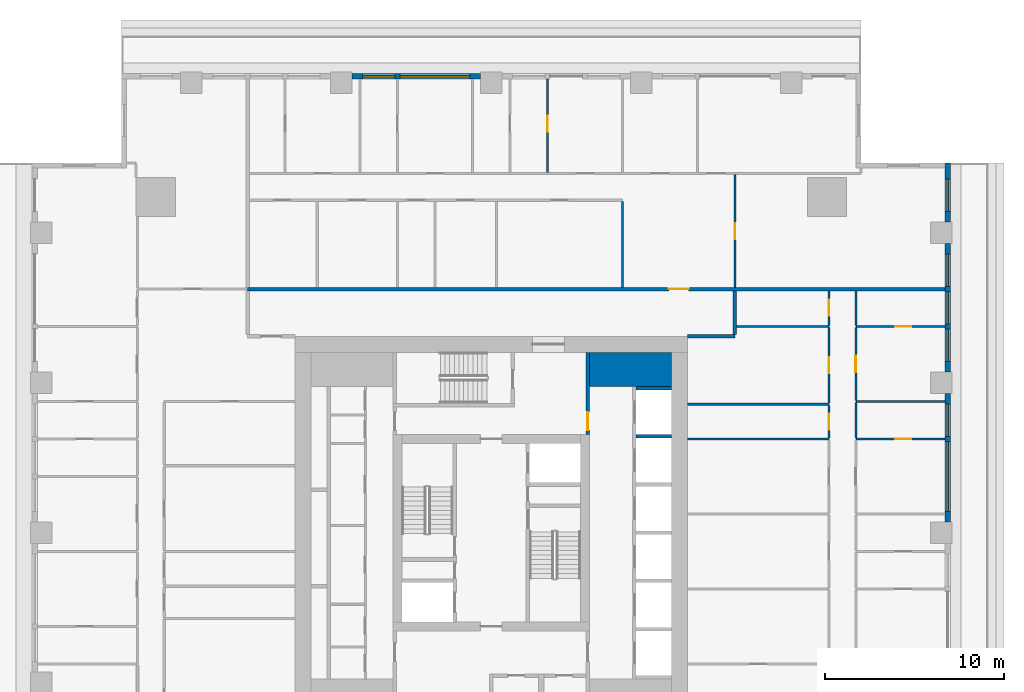
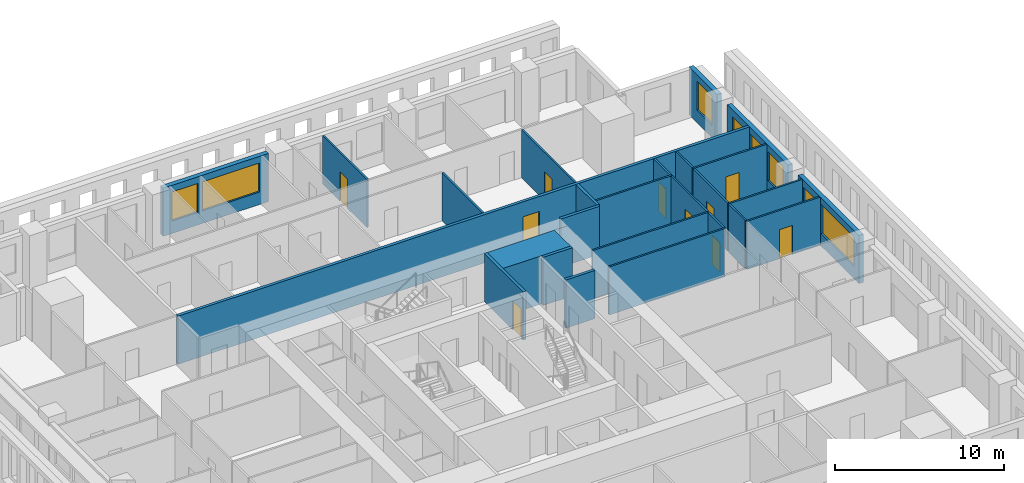
# One storey, part 8 of 14: 26 walls, 10 doors, 8 windows, 18 openings.
"""IFC4 building model written with IfcOpenShell, lengths in metres."""

from ifc_helpers import new_model, si_unit, direction, frame, frame_2d, origin, place, context, subcontext, project, spatial, rectangle, extrude, material, layer, layer_set, type_object, element, fill, save


model = new_model("IFC4")

# Units and contexts
model_context = context("Model", 3, precision=1e-05, world=origin(), true_north=direction((0.0, 1.0)))
body_context = subcontext(model_context, "Body", "Model", "MODEL_VIEW")
ifc_project = project(units=[si_unit("LENGTHUNIT", "METRE"), si_unit("AREAUNIT", "SQUARE_METRE"), si_unit("VOLUMEUNIT", "CUBIC_METRE"), si_unit("PLANEANGLEUNIT", "RADIAN"), si_unit("MASSUNIT", "GRAM", prefix="KILO")], contexts=[model_context])

# Site, building, storey
site_placement = place(None, origin())
site = spatial("IfcSite", under=ifc_project, at=site_placement, CompositionType="ELEMENT")
building_placement = place(site_placement, origin())
building = spatial("IfcBuilding", under=site, at=building_placement, Name="Khepri Terraces", CompositionType="ELEMENT")
storey_placement = place(building_placement, frame((0.0, 0.0, 279.60009765625)))
storey = spatial("IfcBuildingStorey", under=building, at=storey_placement, Name="L67", CompositionType="ELEMENT", Elevation=279.60009765625)

# Walls
ifc_material_1 = material(Name="Concrete C40/50", Category="concrete")
ifc_layer_1 = layer(ifc_material_1, 1.89990234375, Name="Concrete C40/50", Category="concrete")
ifc_layer_set_1 = layer_set([ifc_layer_1], Name="Concrete C40/50")
wall_type_1 = type_object("IfcWallType", Name="Core wall 1900 C40/50", PredefinedType="SHEAR", material=ifc_layer_set_1)
wall_1_placement = place(storey_placement, frame((5.5, 9.14990234375, 0.0), z_axis=(0.0, 0.0, 1.0), x_axis=(1.0, 0.0, 0.0)))
element("IfcWall", 1, at=wall_1_placement, inside=storey, type_object=wall_type_1, Name="Core wall PR04 L67", PredefinedType="SHEAR", context=body_context, shape_type="SweptSolid", body=[
    extrude(rectangle(XDim=4.60009765625, YDim=1.89990234375, at=frame_2d((2.300048828125, 0.0))), origin(), (0.0, 0.0, 1.0), 3.47998046875),
])
ifc_layer_2 = layer(ifc_material_1, 0.199951171875, Name="Concrete C40/50", Category="concrete")
ifc_layer_set_2 = layer_set([ifc_layer_2], Name="Concrete C40/50")
wall_type_2 = type_object("IfcWallType", Name="Core wall 200 C40/50", PredefinedType="SHEAR", material=ifc_layer_set_2)
for number, where, z_axis, x_axis, name in (
    (2, (8.10009765625, 5.39990234375, 0.0), (0.0, 0.0, 1.0), (1.0, 0.0, 0.0), "Core wall SH14 L67"),
    (3, (8.10009765625, 8.10009765625, 0.0), (0.0, 0.0, 1.0), (1.0, 0.0, 0.0), "Core wall SH15 L67"),
):
    element("IfcWall", number, at=place(storey_placement, frame(where, z_axis=z_axis, x_axis=x_axis)), inside=storey, type_object=wall_type_2, Name=name, PredefinedType="SHEAR", context=body_context, shape_type="SweptSolid", body=[
        extrude(rectangle(XDim=2.0, YDim=0.199951171875, at=frame_2d((1.0, 0.0))), origin(), (0.0, 0.0, 1.0), 3.47998046875),
    ])

# Wall, opening, door
ifc_material_2 = material(Name="Fire-rated gypsum board partition")
ifc_layer_3 = layer(ifc_material_2, 0.199951171875, Name="Fire-rated gypsum board partition")
ifc_layer_set_3 = layer_set([ifc_layer_3], Name="Fire-rated gypsum board partition")
wall_type_3 = type_object("IfcWallType", Name="WL-CORE-PART-200", PredefinedType="PARTITIONING", material=ifc_layer_set_3)
wall_2_placement = place(storey_placement, frame((5.39990234375, 5.5, 0.0), z_axis=(0.0, 0.0, 1.0), x_axis=(0.0, 1.0, 0.0)))
wall_2 = element("IfcWall", 4, at=wall_2_placement, inside=storey, type_object=wall_type_3, Name="Core partition PT13 L67", PredefinedType="PARTITIONING", context=body_context, shape_type="SweptSolid", body=[
    extrude(rectangle(XDim=4.60009765625, YDim=0.199951171875, at=frame_2d((2.300048828125, 0.0))), origin(), (0.0, 0.0, 1.0), 3.47998046875),
])
opening_1_placement = place(wall_2_placement, frame((0.25, 0.0, 0.0)))
opening_1 = element("IfcOpeningElement", 5, at=opening_1_placement, cuts=wall_2, Name="Opening L67-C17", PredefinedType="OPENING", context=body_context, shape_type="SweptSolid", body=[
    extrude(rectangle(XDim=1.0, YDim=2.10009765625, at=frame_2d((0.5, 1.050048828125))), frame((0.0, 0.10986328125, 0.0), z_axis=(0.0, -1.0, 0.0), x_axis=(1.0, 0.0, 0.0)), (0.0, 0.0, 1.0), 0.219970703125),
])
ifc_material_3 = material(Name="Painted steel", Category="steel")
door_type_1 = type_object("IfcDoorType", Name="DR-CORE-LOBBY-1000", OperationType="NOTDEFINED", PredefinedType="DOOR", material=ifc_material_3)
door_1_placement = place(opening_1_placement, origin())
door_1 = element("IfcDoor", 6, at=door_1_placement, inside=storey, type_object=door_type_1, Name="Lobby door L67-C17", OperationType="SINGLE_SWING_LEFT", OverallHeight=2.10009765625, OverallWidth=1.0, PredefinedType="DOOR", context=body_context, shape_type="SweptSolid", body=[
    extrude(rectangle(XDim=1.0, YDim=2.10009765625, at=frame_2d((0.5, 1.050048828125))), frame((0.0, 0.02490234375, 0.0), z_axis=(0.0, -1.0, 0.0), x_axis=(1.0, 0.0, 0.0)), (0.0, 0.0, 1.0), 0.050048828125),
])
fill(opening_1, door_1)

# Walls
ifc_material_4 = material(Name="Fire-rated gypsum plasterboard partition, mineral wool")
ifc_layer_4 = layer(ifc_material_4, 0.199951171875, Name="Fire-rated gypsum plasterboard partition, mineral wool")
ifc_layer_set_4 = layer_set([ifc_layer_4], Name="Fire-rated gypsum plasterboard partition, mineral wool")
wall_type_4 = type_object("IfcWallType", Name="WL-CORR-200", PredefinedType="PARTITIONING", material=ifc_layer_set_4)
wall_3_placement = place(storey_placement, frame((11.0, 11.0, 0.0), z_axis=(0.0, 0.0, 1.0), x_axis=(1.0, 0.0, 0.0)))
element("IfcWall", 7, at=wall_3_placement, inside=storey, type_object=wall_type_4, Name="Partition P-069 L67", PredefinedType="PARTITIONING", context=body_context, shape_type="SweptSolid", body=[
    extrude(rectangle(XDim=2.64990234375, YDim=0.199951171875, at=frame_2d((1.324951171875, 0.0))), origin(), (0.0, 0.0, 1.0), 3.47998046875),
])
wall_4_placement = place(storey_placement, frame((13.64990234375, 11.10009765625, 0.0), z_axis=(0.0, 0.0, 1.0), x_axis=(0.0, 1.0, 0.0)))
element("IfcWall", 8, at=wall_4_placement, inside=storey, type_object=wall_type_4, Name="Partition P-071 L67", PredefinedType="PARTITIONING", context=body_context, shape_type="SweptSolid", body=[
    extrude(rectangle(XDim=2.449951171875, YDim=0.199951171875, at=frame_2d((1.22509765625, 0.0))), origin(), (0.0, 0.0, 1.0), 3.47998046875),
])

# Wall, opening, door
wall_5_placement = place(storey_placement, frame((-13.64990234375, 13.64990234375, 0.0), z_axis=(0.0, 0.0, 1.0), x_axis=(1.0, 0.0, 0.0)))
wall_5 = element("IfcWall", 9, at=wall_5_placement, inside=storey, type_object=wall_type_4, Name="Partition P-079 L67", PredefinedType="PARTITIONING", context=body_context, shape_type="SweptSolid", body=[
    extrude(rectangle(XDim=39.06982421875, YDim=0.199951171875, at=frame_2d((19.534912109375, 0.0))), origin(), (0.0, 0.0, 1.0), 3.47998046875),
])
opening_2_placement = place(wall_5_placement, frame((23.60009765625, 0.0, 0.0)))
opening_2 = element("IfcOpeningElement", 10, at=opening_2_placement, cuts=wall_5, Name="Opening D1", PredefinedType="OPENING", context=body_context, shape_type="SweptSolid", body=[
    extrude(rectangle(XDim=1.10009765625, YDim=2.39990234375, at=frame_2d((0.550048828125, 1.199951171875))), frame((0.0, 0.10986328125, 0.0), z_axis=(0.0, -1.0, 0.0), x_axis=(1.0, 0.0, 0.0)), (0.0, 0.0, 1.0), 0.219970703125),
])
ifc_material_5 = material(Name="Solid-core timber door leaf, flat entrance door", Category="wood")
door_type_2 = type_object("IfcDoorType", Name="DR-ENT-1100", OperationType="NOTDEFINED", PredefinedType="DOOR", material=ifc_material_5)
door_2_placement = place(opening_2_placement, origin())
door_2 = element("IfcDoor", 11, at=door_2_placement, inside=storey, type_object=door_type_2, Name="Flat C1 entrance door", OperationType="SINGLE_SWING_RIGHT", OverallHeight=2.39990234375, OverallWidth=1.10009765625, PredefinedType="DOOR", context=body_context, shape_type="SweptSolid", body=[
    extrude(rectangle(XDim=1.10009765625, YDim=2.39990234375, at=frame_2d((0.550048828125, 1.199951171875))), frame((0.0, 0.02490234375, 0.0), z_axis=(0.0, -1.0, 0.0), x_axis=(1.0, 0.0, 0.0)), (0.0, 0.0, 1.0), 0.050048828125),
])
fill(opening_2, door_2)

# Wall, openings, windows
ifc_material_6 = material(Name="Precast concrete C50/60 warm stone", Category="masonry")
ifc_layer_5 = layer(ifc_material_6, 0.300048828125, Name="Precast concrete C50/60 warm stone", Category="masonry")
ifc_layer_set_5 = layer_set([ifc_layer_5], Name="Precast concrete C50/60 warm stone")
wall_type_5 = type_object("IfcWallType", Name="WL-EXT-PRECAST-300", PredefinedType="STANDARD", material=ifc_layer_set_5)
wall_6_placement = place(storey_placement, frame((25.570068359375, 0.60009765625, 0.0), z_axis=(0.0, 0.0, 1.0), x_axis=(0.0, 1.0, 0.0)))
wall_6 = element("IfcWall", 12, at=wall_6_placement, inside=storey, type_object=wall_type_5, Name="External wall L67 E", PredefinedType="STANDARD", context=body_context, shape_type="SweptSolid", body=[
    extrude(rectangle(XDim=7.199951171875, YDim=0.300048828125, at=frame_2d((3.60009765625, 0.0))), origin(), (0.0, 0.0, 1.0), 3.47998046875),
])
opening_3_placement = place(wall_6_placement, frame((0.60009765625, 0.0, 0.89990234375)))
opening_3 = element("IfcOpeningElement", 13, at=opening_3_placement, cuts=wall_6, Name="Opening W2", PredefinedType="OPENING", context=body_context, shape_type="SweptSolid", body=[
    extrude(rectangle(XDim=3.89990234375, YDim=2.10009765625, at=frame_2d((1.949951171875, 1.050048828125))), frame((0.0, 0.16015625, 0.0), z_axis=(0.0, -1.0, 0.0), x_axis=(1.0, 0.0, 0.0)), (0.0, 0.0, 1.0), 0.320068359375),
])
opening_4_placement = place(wall_6_placement, frame((4.800048828125, 0.0, 0.89990234375)))
opening_4 = element("IfcOpeningElement", 14, at=opening_4_placement, cuts=wall_6, Name="Opening W1", PredefinedType="OPENING", context=body_context, shape_type="SweptSolid", body=[
    extrude(rectangle(XDim=1.800048828125, YDim=2.10009765625, at=frame_2d((0.89990234375, 1.050048828125))), frame((0.0, 0.16015625, 0.0), z_axis=(0.0, -1.0, 0.0), x_axis=(1.0, 0.0, 0.0)), (0.0, 0.0, 1.0), 0.320068359375),
])
ifc_material_7 = material(Name="Clear glass", Category="glass")
window_type_1 = type_object("IfcWindowType", Name="WIN-RES-1800x2100", PartitioningType="SINGLE_PANEL", PredefinedType="WINDOW", material=ifc_material_7)
window_1_placement = place(opening_4_placement, origin())
window_1 = element("IfcWindow", 15, at=window_1_placement, inside=storey, type_object=window_type_1, Name="Window L67 E", OverallHeight=2.10009765625, OverallWidth=1.800048828125, PartitioningType="SINGLE_PANEL", PredefinedType="WINDOW", context=body_context, shape_type="SweptSolid", body=[
    extrude(rectangle(XDim=1.800048828125, YDim=2.10009765625, at=frame_2d((0.89990234375, 1.050048828125))), frame((0.0, 0.030029296875, 0.0), z_axis=(0.0, -1.0, 0.0), x_axis=(1.0, 0.0, 0.0)), (0.0, 0.0, 1.0), 0.06005859375),
])
fill(opening_4, window_1)
window_type_2 = type_object("IfcWindowType", Name="WIN-RES-3900x2100", PartitioningType="SINGLE_PANEL", PredefinedType="WINDOW", material=ifc_material_7)
window_2_placement = place(opening_3_placement, origin())
window_2 = element("IfcWindow", 16, at=window_2_placement, inside=storey, type_object=window_type_2, Name="Window L67 E", OverallHeight=2.10009765625, OverallWidth=3.89990234375, PartitioningType="SINGLE_PANEL", PredefinedType="WINDOW", context=body_context, shape_type="SweptSolid", body=[
    extrude(rectangle(XDim=3.89990234375, YDim=2.10009765625, at=frame_2d((1.949951171875, 1.050048828125))), frame((0.0, 0.030029296875, 0.0), z_axis=(0.0, -1.0, 0.0), x_axis=(1.0, 0.0, 0.0)), (0.0, 0.0, 1.0), 0.06005859375),
])
fill(opening_3, window_2)

wall_7_placement = place(storey_placement, frame((25.570068359375, 9.0, 0.0), z_axis=(0.0, 0.0, 1.0), x_axis=(0.0, 1.0, 0.0)))
wall_7 = element("IfcWall", 17, at=wall_7_placement, inside=storey, type_object=wall_type_5, Name="External wall L67 E", PredefinedType="STANDARD", context=body_context, shape_type="SweptSolid", body=[
    extrude(rectangle(XDim=7.199951171875, YDim=0.300048828125, at=frame_2d((3.60009765625, 0.0))), origin(), (0.0, 0.0, 1.0), 3.47998046875),
])
opening_5_placement = place(wall_7_placement, frame((0.60009765625, 0.0, 0.89990234375)))
opening_5 = element("IfcOpeningElement", 18, at=opening_5_placement, cuts=wall_7, Name="Opening W1", PredefinedType="OPENING", context=body_context, shape_type="SweptSolid", body=[
    extrude(rectangle(XDim=1.800048828125, YDim=2.10009765625, at=frame_2d((0.89990234375, 1.050048828125))), frame((0.0, 0.16015625, 0.0), z_axis=(0.0, -1.0, 0.0), x_axis=(1.0, 0.0, 0.0)), (0.0, 0.0, 1.0), 0.320068359375),
])
opening_6_placement = place(wall_7_placement, frame((2.699951171875, 0.0, 0.89990234375)))
opening_6 = element("IfcOpeningElement", 19, at=opening_6_placement, cuts=wall_7, Name="Opening W1", PredefinedType="OPENING", context=body_context, shape_type="SweptSolid", body=[
    extrude(rectangle(XDim=1.800048828125, YDim=2.10009765625, at=frame_2d((0.89990234375, 1.050048828125))), frame((0.0, 0.16015625, 0.0), z_axis=(0.0, -1.0, 0.0), x_axis=(1.0, 0.0, 0.0)), (0.0, 0.0, 1.0), 0.320068359375),
])
opening_7_placement = place(wall_7_placement, frame((4.800048828125, 0.0, 0.89990234375)))
opening_7 = element("IfcOpeningElement", 20, at=opening_7_placement, cuts=wall_7, Name="Opening W1", PredefinedType="OPENING", context=body_context, shape_type="SweptSolid", body=[
    extrude(rectangle(XDim=1.800048828125, YDim=2.10009765625, at=frame_2d((0.89990234375, 1.050048828125))), frame((0.0, 0.16015625, 0.0), z_axis=(0.0, -1.0, 0.0), x_axis=(1.0, 0.0, 0.0)), (0.0, 0.0, 1.0), 0.320068359375),
])
window_3_placement = place(opening_5_placement, origin())
window_3 = element("IfcWindow", 21, at=window_3_placement, inside=storey, type_object=window_type_1, Name="Window L67 E", OverallHeight=2.10009765625, OverallWidth=1.800048828125, PartitioningType="SINGLE_PANEL", PredefinedType="WINDOW", context=body_context, shape_type="SweptSolid", body=[
    extrude(rectangle(XDim=1.800048828125, YDim=2.10009765625, at=frame_2d((0.89990234375, 1.050048828125))), frame((0.0, 0.030029296875, 0.0), z_axis=(0.0, -1.0, 0.0), x_axis=(1.0, 0.0, 0.0)), (0.0, 0.0, 1.0), 0.06005859375),
])
fill(opening_5, window_3)
window_4_placement = place(opening_6_placement, origin())
window_4 = element("IfcWindow", 22, at=window_4_placement, inside=storey, type_object=window_type_1, Name="Window L67 E", OverallHeight=2.10009765625, OverallWidth=1.800048828125, PartitioningType="SINGLE_PANEL", PredefinedType="WINDOW", context=body_context, shape_type="SweptSolid", body=[
    extrude(rectangle(XDim=1.800048828125, YDim=2.10009765625, at=frame_2d((0.89990234375, 1.050048828125))), frame((0.0, 0.030029296875, 0.0), z_axis=(0.0, -1.0, 0.0), x_axis=(1.0, 0.0, 0.0)), (0.0, 0.0, 1.0), 0.06005859375),
])
fill(opening_6, window_4)
window_5_placement = place(opening_7_placement, origin())
window_5 = element("IfcWindow", 23, at=window_5_placement, inside=storey, type_object=window_type_1, Name="Window L67 E", OverallHeight=2.10009765625, OverallWidth=1.800048828125, PartitioningType="SINGLE_PANEL", PredefinedType="WINDOW", context=body_context, shape_type="SweptSolid", body=[
    extrude(rectangle(XDim=1.800048828125, YDim=2.10009765625, at=frame_2d((0.89990234375, 1.050048828125))), frame((0.0, 0.030029296875, 0.0), z_axis=(0.0, -1.0, 0.0), x_axis=(1.0, 0.0, 0.0)), (0.0, 0.0, 1.0), 0.06005859375),
])
fill(opening_7, window_5)

# Wall, opening, window
wall_8_placement = place(storey_placement, frame((25.570068359375, 17.39990234375, 0.0), z_axis=(0.0, 0.0, 1.0), x_axis=(0.0, 1.0, 0.0)))
wall_8 = element("IfcWall", 24, at=wall_8_placement, inside=storey, type_object=wall_type_5, Name="External wall L67 E", PredefinedType="STANDARD", context=body_context, shape_type="SweptSolid", body=[
    extrude(rectangle(XDim=3.320068359375, YDim=0.300048828125, at=frame_2d((1.66015625, 0.0))), origin(), (0.0, 0.0, 1.0), 3.47998046875),
])
opening_8_placement = place(wall_8_placement, frame((0.60009765625, 0.0, 0.89990234375)))
opening_8 = element("IfcOpeningElement", 25, at=opening_8_placement, cuts=wall_8, Name="Opening W1", PredefinedType="OPENING", context=body_context, shape_type="SweptSolid", body=[
    extrude(rectangle(XDim=1.800048828125, YDim=2.10009765625, at=frame_2d((0.89990234375, 1.050048828125))), frame((0.0, 0.16015625, 0.0), z_axis=(0.0, -1.0, 0.0), x_axis=(1.0, 0.0, 0.0)), (0.0, 0.0, 1.0), 0.320068359375),
])
window_6_placement = place(opening_8_placement, origin())
window_6 = element("IfcWindow", 26, at=window_6_placement, inside=storey, type_object=window_type_1, Name="Window L67 E", OverallHeight=2.10009765625, OverallWidth=1.800048828125, PartitioningType="SINGLE_PANEL", PredefinedType="WINDOW", context=body_context, shape_type="SweptSolid", body=[
    extrude(rectangle(XDim=1.800048828125, YDim=2.10009765625, at=frame_2d((0.89990234375, 1.050048828125))), frame((0.0, 0.030029296875, 0.0), z_axis=(0.0, -1.0, 0.0), x_axis=(1.0, 0.0, 0.0)), (0.0, 0.0, 1.0), 0.06005859375),
])
fill(opening_8, window_6)

# Wall, openings, windows
wall_9_placement = place(storey_placement, frame((-0.60009765625, 25.570068359375, 0.0), z_axis=(0.0, 0.0, 1.0), x_axis=(-1.0, 0.0, 0.0)))
wall_9 = element("IfcWall", 27, at=wall_9_placement, inside=storey, type_object=wall_type_5, Name="External wall L67 N", PredefinedType="STANDARD", context=body_context, shape_type="SweptSolid", body=[
    extrude(rectangle(XDim=7.199951171875, YDim=0.300048828125, at=frame_2d((3.60009765625, 0.0))), origin(), (0.0, 0.0, 1.0), 3.47998046875),
])
opening_9_placement = place(wall_9_placement, frame((0.60009765625, 0.0, 0.89990234375)))
opening_9 = element("IfcOpeningElement", 28, at=opening_9_placement, cuts=wall_9, Name="Opening W2", PredefinedType="OPENING", context=body_context, shape_type="SweptSolid", body=[
    extrude(rectangle(XDim=3.89990234375, YDim=2.10009765625, at=frame_2d((1.949951171875, 1.050048828125))), frame((0.0, 0.16015625, 0.0), z_axis=(0.0, -1.0, 0.0), x_axis=(1.0, 0.0, 0.0)), (0.0, 0.0, 1.0), 0.320068359375),
])
opening_10_placement = place(wall_9_placement, frame((4.800048828125, 0.0, 0.89990234375)))
opening_10 = element("IfcOpeningElement", 29, at=opening_10_placement, cuts=wall_9, Name="Opening W1", PredefinedType="OPENING", context=body_context, shape_type="SweptSolid", body=[
    extrude(rectangle(XDim=1.800048828125, YDim=2.10009765625, at=frame_2d((0.89990234375, 1.050048828125))), frame((0.0, 0.16015625, 0.0), z_axis=(0.0, -1.0, 0.0), x_axis=(1.0, 0.0, 0.0)), (0.0, 0.0, 1.0), 0.320068359375),
])
window_7_placement = place(opening_10_placement, origin())
window_7 = element("IfcWindow", 30, at=window_7_placement, inside=storey, type_object=window_type_1, Name="Window L67 N", OverallHeight=2.10009765625, OverallWidth=1.800048828125, PartitioningType="SINGLE_PANEL", PredefinedType="WINDOW", context=body_context, shape_type="SweptSolid", body=[
    extrude(rectangle(XDim=1.800048828125, YDim=2.10009765625, at=frame_2d((0.89990234375, 1.050048828125))), frame((0.0, 0.030029296875, 0.0), z_axis=(0.0, -1.0, 0.0), x_axis=(1.0, 0.0, 0.0)), (0.0, 0.0, 1.0), 0.06005859375),
])
fill(opening_10, window_7)
window_8_placement = place(opening_9_placement, origin())
window_8 = element("IfcWindow", 31, at=window_8_placement, inside=storey, type_object=window_type_2, Name="Window L67 N", OverallHeight=2.10009765625, OverallWidth=3.89990234375, PartitioningType="SINGLE_PANEL", PredefinedType="WINDOW", context=body_context, shape_type="SweptSolid", body=[
    extrude(rectangle(XDim=3.89990234375, YDim=2.10009765625, at=frame_2d((1.949951171875, 1.050048828125))), frame((0.0, 0.030029296875, 0.0), z_axis=(0.0, -1.0, 0.0), x_axis=(1.0, 0.0, 0.0)), (0.0, 0.0, 1.0), 0.06005859375),
])
fill(opening_9, window_8)

# Wall
ifc_material_8 = material(Name="Gypsum plasterboard partition")
ifc_layer_6 = layer(ifc_material_8, 0.1201171875, Name="Gypsum plasterboard partition")
ifc_layer_set_6 = layer_set([ifc_layer_6], Name="Gypsum plasterboard partition")
wall_type_6 = type_object("IfcWallType", Name="WL-PART-120", PredefinedType="PARTITIONING", material=ifc_layer_set_6)
wall_10_placement = place(storey_placement, frame((11.0, 5.25, 0.0), z_axis=(0.0, 0.0, 1.0), x_axis=(1.0, 0.0, 0.0)))
element("IfcWall", 32, at=wall_10_placement, inside=storey, type_object=wall_type_6, Name="Partition P-056 L67", PredefinedType="PARTITIONING", context=body_context, shape_type="SweptSolid", body=[
    extrude(rectangle(XDim=7.919921875, YDim=0.1201171875, at=frame_2d((3.9599609375, 0.0))), origin(), (0.0, 0.0, 1.0), 3.47998046875),
])

# Wall, opening, door
wall_11_placement = place(storey_placement, frame((20.419921875, 5.25, 0.0), z_axis=(0.0, 0.0, 1.0), x_axis=(1.0, 0.0, 0.0)))
wall_11 = element("IfcWall", 33, at=wall_11_placement, inside=storey, type_object=wall_type_6, Name="Partition P-057 L67", PredefinedType="PARTITIONING", context=body_context, shape_type="SweptSolid", body=[
    extrude(rectangle(XDim=5.0, YDim=0.1201171875, at=frame_2d((2.5, 0.0))), origin(), (0.0, 0.0, 1.0), 3.47998046875),
])
opening_11_placement = place(wall_11_placement, frame((2.199951171875, 0.0, 0.0)))
opening_11 = element("IfcOpeningElement", 34, at=opening_11_placement, cuts=wall_11, Name="Opening D4", PredefinedType="OPENING", context=body_context, shape_type="SweptSolid", body=[
    extrude(rectangle(XDim=0.89990234375, YDim=2.10009765625, at=frame_2d((0.449951171875, 1.050048828125))), frame((0.0, 0.070068359375, 0.0), z_axis=(0.0, -1.0, 0.0), x_axis=(1.0, 0.0, 0.0)), (0.0, 0.0, 1.0), 0.14013671875),
])
ifc_material_9 = material(Name="Timber door leaf, moisture resistant", Category="wood")
door_type_3 = type_object("IfcDoorType", Name="DR-WET-900", OperationType="NOTDEFINED", PredefinedType="DOOR", material=ifc_material_9)
door_3_placement = place(opening_11_placement, origin())
door_3 = element("IfcDoor", 35, at=door_3_placement, inside=storey, type_object=door_type_3, Name="Door Bathroom", OperationType="SINGLE_SWING_RIGHT", OverallHeight=2.10009765625, OverallWidth=0.89990234375, PredefinedType="DOOR", context=body_context, shape_type="SweptSolid", body=[
    extrude(rectangle(XDim=0.89990234375, YDim=2.10009765625, at=frame_2d((0.449951171875, 1.050048828125))), frame((0.0, 0.02490234375, 0.0), z_axis=(0.0, -1.0, 0.0), x_axis=(1.0, 0.0, 0.0)), (0.0, 0.0, 1.0), 0.050048828125),
])
fill(opening_11, door_3)

wall_12_placement = place(storey_placement, frame((18.919921875, 5.31005859375, 0.0), z_axis=(0.0, 0.0, 1.0), x_axis=(0.0, 1.0, 0.0)))
wall_12 = element("IfcWall", 36, at=wall_12_placement, inside=storey, type_object=wall_type_6, Name="Partition P-059 L67", PredefinedType="PARTITIONING", context=body_context, shape_type="SweptSolid", body=[
    extrude(rectangle(XDim=1.829833984375, YDim=0.1201171875, at=frame_2d((0.9150390625, 0.0))), origin(), (0.0, 0.0, 1.0), 3.47998046875),
])
opening_12_placement = place(wall_12_placement, frame((0.465087890625, 0.0, 0.0)))
opening_12 = element("IfcOpeningElement", 37, at=opening_12_placement, cuts=wall_12, Name="Opening D4", PredefinedType="OPENING", context=body_context, shape_type="SweptSolid", body=[
    extrude(rectangle(XDim=0.89990234375, YDim=2.10009765625, at=frame_2d((0.449951171875, 1.050048828125))), frame((0.0, 0.070068359375, 0.0), z_axis=(0.0, -1.0, 0.0), x_axis=(1.0, 0.0, 0.0)), (0.0, 0.0, 1.0), 0.14013671875),
])
door_4_placement = place(opening_12_placement, origin())
door_4 = element("IfcDoor", 38, at=door_4_placement, inside=storey, type_object=door_type_3, Name="Door Guest Bathroom", OperationType="SINGLE_SWING_RIGHT", OverallHeight=2.10009765625, OverallWidth=0.89990234375, PredefinedType="DOOR", context=body_context, shape_type="SweptSolid", body=[
    extrude(rectangle(XDim=0.89990234375, YDim=2.10009765625, at=frame_2d((0.449951171875, 1.050048828125))), frame((0.0, 0.02490234375, 0.0), z_axis=(0.0, -1.0, 0.0), x_axis=(1.0, 0.0, 0.0)), (0.0, 0.0, 1.0), 0.050048828125),
])
fill(opening_12, door_4)

# Walls
wall_13_placement = place(storey_placement, frame((20.419921875, 5.31005859375, 0.0), z_axis=(0.0, 0.0, 1.0), x_axis=(0.0, 1.0, 0.0)))
element("IfcWall", 39, at=wall_13_placement, inside=storey, type_object=wall_type_6, Name="Partition P-060 L67", PredefinedType="PARTITIONING", context=body_context, shape_type="SweptSolid", body=[
    extrude(rectangle(XDim=1.97998046875, YDim=0.1201171875, at=frame_2d((0.989990234375, 0.0))), origin(), (0.0, 0.0, 1.0), 3.47998046875),
])
wall_14_placement = place(storey_placement, frame((11.0, 7.199951171875, 0.0), z_axis=(0.0, 0.0, 1.0), x_axis=(1.0, 0.0, 0.0)))
element("IfcWall", 40, at=wall_14_placement, inside=storey, type_object=wall_type_6, Name="Partition P-061 L67", PredefinedType="PARTITIONING", context=body_context, shape_type="SweptSolid", body=[
    extrude(rectangle(XDim=7.919921875, YDim=0.1201171875, at=frame_2d((3.9599609375, 0.0))), origin(), (0.0, 0.0, 1.0), 3.47998046875),
])

# Wall, opening, door
wall_15_placement = place(storey_placement, frame((18.919921875, 7.260009765625, 0.0), z_axis=(0.0, 0.0, 1.0), x_axis=(0.0, 1.0, 0.0)))
wall_15 = element("IfcWall", 41, at=wall_15_placement, inside=storey, type_object=wall_type_6, Name="Partition P-062 L67", PredefinedType="PARTITIONING", context=body_context, shape_type="SweptSolid", body=[
    extrude(rectangle(XDim=4.22998046875, YDim=0.1201171875, at=frame_2d((2.114990234375, 0.0))), origin(), (0.0, 0.0, 1.0), 3.47998046875),
])
opening_13_placement = place(wall_15_placement, frame((1.6650390625, 0.0, 0.0)))
opening_13 = element("IfcOpeningElement", 42, at=opening_13_placement, cuts=wall_15, Name="Opening D3", PredefinedType="OPENING", context=body_context, shape_type="SweptSolid", body=[
    extrude(rectangle(XDim=0.89990234375, YDim=2.10009765625, at=frame_2d((0.449951171875, 1.050048828125))), frame((0.0, 0.070068359375, 0.0), z_axis=(0.0, -1.0, 0.0), x_axis=(1.0, 0.0, 0.0)), (0.0, 0.0, 1.0), 0.14013671875),
])
ifc_material_10 = material(Name="Timber door leaf", Category="wood")
door_type_4 = type_object("IfcDoorType", Name="DR-INT-900", OperationType="NOTDEFINED", PredefinedType="DOOR", material=ifc_material_10)
door_5_placement = place(opening_13_placement, origin())
door_5 = element("IfcDoor", 43, at=door_5_placement, inside=storey, type_object=door_type_4, Name="Door Utility Room", OperationType="SINGLE_SWING_RIGHT", OverallHeight=2.10009765625, OverallWidth=0.89990234375, PredefinedType="DOOR", context=body_context, shape_type="SweptSolid", body=[
    extrude(rectangle(XDim=0.89990234375, YDim=2.10009765625, at=frame_2d((0.449951171875, 1.050048828125))), frame((0.0, 0.02490234375, 0.0), z_axis=(0.0, -1.0, 0.0), x_axis=(1.0, 0.0, 0.0)), (0.0, 0.0, 1.0), 0.050048828125),
])
fill(opening_13, door_5)

# Wall
wall_16_placement = place(storey_placement, frame((20.419921875, 7.35009765625, 0.0), z_axis=(0.0, 0.0, 1.0), x_axis=(1.0, 0.0, 0.0)))
element("IfcWall", 44, at=wall_16_placement, inside=storey, type_object=wall_type_6, Name="Partition P-065 L67", PredefinedType="PARTITIONING", context=body_context, shape_type="SweptSolid", body=[
    extrude(rectangle(XDim=5.0, YDim=0.1201171875, at=frame_2d((2.5, 0.0))), origin(), (0.0, 0.0, 1.0), 3.47998046875),
])

# Wall, opening, door
wall_17_placement = place(storey_placement, frame((20.419921875, 7.409912109375, 0.0), z_axis=(0.0, 0.0, 1.0), x_axis=(0.0, 1.0, 0.0)))
wall_17 = element("IfcWall", 45, at=wall_17_placement, inside=storey, type_object=wall_type_6, Name="Partition P-067 L67", PredefinedType="PARTITIONING", context=body_context, shape_type="SweptSolid", body=[
    extrude(rectangle(XDim=4.080078125, YDim=0.1201171875, at=frame_2d((2.0400390625, 0.0))), origin(), (0.0, 0.0, 1.0), 3.47998046875),
])
opening_14_placement = place(wall_17_placement, frame((1.590087890625, 0.0, 0.0)))
opening_14 = element("IfcOpeningElement", 46, at=opening_14_placement, cuts=wall_17, Name="Opening D3", PredefinedType="OPENING", context=body_context, shape_type="SweptSolid", body=[
    extrude(rectangle(XDim=0.89990234375, YDim=2.10009765625, at=frame_2d((0.449951171875, 1.050048828125))), frame((0.0, 0.070068359375, 0.0), z_axis=(0.0, -1.0, 0.0), x_axis=(1.0, 0.0, 0.0)), (0.0, 0.0, 1.0), 0.14013671875),
])
door_6_placement = place(opening_14_placement, frame((0.89990234375, 0.0, 0.0), z_axis=(0.0, 0.0, 1.0), x_axis=(-1.0, 0.0, 0.0)))
door_6 = element("IfcDoor", 47, at=door_6_placement, inside=storey, type_object=door_type_4, Name="Door Bedroom", OperationType="SINGLE_SWING_RIGHT", OverallHeight=2.10009765625, OverallWidth=0.89990234375, PredefinedType="DOOR", context=body_context, shape_type="SweptSolid", body=[
    extrude(rectangle(XDim=0.89990234375, YDim=2.10009765625, at=frame_2d((0.449951171875, 1.050048828125))), frame((0.0, 0.02490234375, 0.0), z_axis=(0.0, -1.0, 0.0), x_axis=(1.0, 0.0, 0.0)), (0.0, 0.0, 1.0), 0.050048828125),
])
fill(opening_14, door_6)

# Wall
wall_18_placement = place(storey_placement, frame((13.75, 11.550048828125, 0.0), z_axis=(0.0, 0.0, 1.0), x_axis=(1.0, 0.0, 0.0)))
element("IfcWall", 48, at=wall_18_placement, inside=storey, type_object=wall_type_6, Name="Partition P-073 L67", PredefinedType="PARTITIONING", context=body_context, shape_type="SweptSolid", body=[
    extrude(rectangle(XDim=5.169921875, YDim=0.1201171875, at=frame_2d((2.5849609375, 0.0))), origin(), (0.0, 0.0, 1.0), 3.47998046875),
])

# Wall, opening, door
wall_19_placement = place(storey_placement, frame((20.419921875, 11.550048828125, 0.0), z_axis=(0.0, 0.0, 1.0), x_axis=(1.0, 0.0, 0.0)))
wall_19 = element("IfcWall", 49, at=wall_19_placement, inside=storey, type_object=wall_type_6, Name="Partition P-074 L67", PredefinedType="PARTITIONING", context=body_context, shape_type="SweptSolid", body=[
    extrude(rectangle(XDim=5.0, YDim=0.1201171875, at=frame_2d((2.5, 0.0))), origin(), (0.0, 0.0, 1.0), 3.47998046875),
])
opening_15_placement = place(wall_19_placement, frame((2.199951171875, 0.0, 0.0)))
opening_15 = element("IfcOpeningElement", 50, at=opening_15_placement, cuts=wall_19, Name="Opening D4", PredefinedType="OPENING", context=body_context, shape_type="SweptSolid", body=[
    extrude(rectangle(XDim=0.89990234375, YDim=2.10009765625, at=frame_2d((0.449951171875, 1.050048828125))), frame((0.0, 0.070068359375, 0.0), z_axis=(0.0, -1.0, 0.0), x_axis=(1.0, 0.0, 0.0)), (0.0, 0.0, 1.0), 0.14013671875),
])
door_7_placement = place(opening_15_placement, origin())
door_7 = element("IfcDoor", 51, at=door_7_placement, inside=storey, type_object=door_type_3, Name="Door Bathroom", OperationType="SINGLE_SWING_RIGHT", OverallHeight=2.10009765625, OverallWidth=0.89990234375, PredefinedType="DOOR", context=body_context, shape_type="SweptSolid", body=[
    extrude(rectangle(XDim=0.89990234375, YDim=2.10009765625, at=frame_2d((0.449951171875, 1.050048828125))), frame((0.0, 0.02490234375, 0.0), z_axis=(0.0, -1.0, 0.0), x_axis=(1.0, 0.0, 0.0)), (0.0, 0.0, 1.0), 0.050048828125),
])
fill(opening_15, door_7)

wall_20_placement = place(storey_placement, frame((18.919921875, 11.610107421875, 0.0), z_axis=(0.0, 0.0, 1.0), x_axis=(0.0, 1.0, 0.0)))
wall_20 = element("IfcWall", 52, at=wall_20_placement, inside=storey, type_object=wall_type_6, Name="Partition P-076 L67", PredefinedType="PARTITIONING", context=body_context, shape_type="SweptSolid", body=[
    extrude(rectangle(XDim=1.93994140625, YDim=0.1201171875, at=frame_2d((0.969970703125, 0.0))), origin(), (0.0, 0.0, 1.0), 3.47998046875),
])
opening_16_placement = place(wall_20_placement, frame((0.5400390625, 0.0, 0.0)))
opening_16 = element("IfcOpeningElement", 53, at=opening_16_placement, cuts=wall_20, Name="Opening D3", PredefinedType="OPENING", context=body_context, shape_type="SweptSolid", body=[
    extrude(rectangle(XDim=0.89990234375, YDim=2.10009765625, at=frame_2d((0.449951171875, 1.050048828125))), frame((0.0, 0.070068359375, 0.0), z_axis=(0.0, -1.0, 0.0), x_axis=(1.0, 0.0, 0.0)), (0.0, 0.0, 1.0), 0.14013671875),
])
door_8_placement = place(opening_16_placement, origin())
door_8 = element("IfcDoor", 54, at=door_8_placement, inside=storey, type_object=door_type_4, Name="Door Utility Room", OperationType="SINGLE_SWING_RIGHT", OverallHeight=2.10009765625, OverallWidth=0.89990234375, PredefinedType="DOOR", context=body_context, shape_type="SweptSolid", body=[
    extrude(rectangle(XDim=0.89990234375, YDim=2.10009765625, at=frame_2d((0.449951171875, 1.050048828125))), frame((0.0, 0.02490234375, 0.0), z_axis=(0.0, -1.0, 0.0), x_axis=(1.0, 0.0, 0.0)), (0.0, 0.0, 1.0), 0.050048828125),
])
fill(opening_16, door_8)

# Walls
wall_21_placement = place(storey_placement, frame((20.419921875, 11.610107421875, 0.0), z_axis=(0.0, 0.0, 1.0), x_axis=(0.0, 1.0, 0.0)))
element("IfcWall", 55, at=wall_21_placement, inside=storey, type_object=wall_type_6, Name="Partition P-077 L67", PredefinedType="PARTITIONING", context=body_context, shape_type="SweptSolid", body=[
    extrude(rectangle(XDim=1.93994140625, YDim=0.1201171875, at=frame_2d((0.969970703125, 0.0))), origin(), (0.0, 0.0, 1.0), 3.47998046875),
])
wall_22_placement = place(storey_placement, frame((7.35009765625, 13.75, 0.0), z_axis=(0.0, 0.0, 1.0), x_axis=(0.0, 1.0, 0.0)))
element("IfcWall", 56, at=wall_22_placement, inside=storey, type_object=wall_type_6, Name="Partition P-086 L67", PredefinedType="PARTITIONING", context=body_context, shape_type="SweptSolid", body=[
    extrude(rectangle(XDim=4.81005859375, YDim=0.1201171875, at=frame_2d((2.405029296875, 0.0))), origin(), (0.0, 0.0, 1.0), 3.47998046875),
])

# Wall, opening, door
wall_23_placement = place(storey_placement, frame((13.64990234375, 13.75, 0.0), z_axis=(0.0, 0.0, 1.0), x_axis=(0.0, 1.0, 0.0)))
wall_23 = element("IfcWall", 57, at=wall_23_placement, inside=storey, type_object=wall_type_6, Name="Partition P-087 L67", PredefinedType="PARTITIONING", context=body_context, shape_type="SweptSolid", body=[
    extrude(rectangle(XDim=6.31005859375, YDim=0.1201171875, at=frame_2d((3.155029296875, 0.0))), origin(), (0.0, 0.0, 1.0), 3.47998046875),
])
opening_17_placement = place(wall_23_placement, frame((2.68505859375, 0.0, 0.0)))
opening_17 = element("IfcOpeningElement", 58, at=opening_17_placement, cuts=wall_23, Name="Opening D3", PredefinedType="OPENING", context=body_context, shape_type="SweptSolid", body=[
    extrude(rectangle(XDim=0.89990234375, YDim=2.10009765625, at=frame_2d((0.449951171875, 1.050048828125))), frame((0.0, 0.070068359375, 0.0), z_axis=(0.0, -1.0, 0.0), x_axis=(1.0, 0.0, 0.0)), (0.0, 0.0, 1.0), 0.14013671875),
])
door_9_placement = place(opening_17_placement, frame((0.89990234375, 0.0, 0.0), z_axis=(0.0, 0.0, 1.0), x_axis=(-1.0, 0.0, 0.0)))
door_9 = element("IfcDoor", 59, at=door_9_placement, inside=storey, type_object=door_type_4, Name="Door Library", OperationType="SINGLE_SWING_RIGHT", OverallHeight=2.10009765625, OverallWidth=0.89990234375, PredefinedType="DOOR", context=body_context, shape_type="SweptSolid", body=[
    extrude(rectangle(XDim=0.89990234375, YDim=2.10009765625, at=frame_2d((0.449951171875, 1.050048828125))), frame((0.0, 0.02490234375, 0.0), z_axis=(0.0, -1.0, 0.0), x_axis=(1.0, 0.0, 0.0)), (0.0, 0.0, 1.0), 0.050048828125),
])
fill(opening_17, door_9)

wall_24_placement = place(storey_placement, frame((3.14990234375, 20.179931640625, 0.0), z_axis=(0.0, 0.0, 1.0), x_axis=(0.0, 1.0, 0.0)))
wall_24 = element("IfcWall", 60, at=wall_24_placement, inside=storey, type_object=wall_type_6, Name="Partition P-096 L67", PredefinedType="PARTITIONING", context=body_context, shape_type="SweptSolid", body=[
    extrude(rectangle(XDim=5.239990234375, YDim=0.1201171875, at=frame_2d((2.6201171875, 0.0))), origin(), (0.0, 0.0, 1.0), 3.47998046875),
])
opening_18_placement = place(wall_24_placement, frame((2.2900390625, 0.0, 0.0)))
opening_18 = element("IfcOpeningElement", 61, at=opening_18_placement, cuts=wall_24, Name="Opening D3", PredefinedType="OPENING", context=body_context, shape_type="SweptSolid", body=[
    extrude(rectangle(XDim=0.89990234375, YDim=2.10009765625, at=frame_2d((0.449951171875, 1.050048828125))), frame((0.0, 0.070068359375, 0.0), z_axis=(0.0, -1.0, 0.0), x_axis=(1.0, 0.0, 0.0)), (0.0, 0.0, 1.0), 0.14013671875),
])
door_10_placement = place(opening_18_placement, origin())
door_10 = element("IfcDoor", 62, at=door_10_placement, inside=storey, type_object=door_type_4, Name="Door Dressing Room", OperationType="SINGLE_SWING_RIGHT", OverallHeight=2.10009765625, OverallWidth=0.89990234375, PredefinedType="DOOR", context=body_context, shape_type="SweptSolid", body=[
    extrude(rectangle(XDim=0.89990234375, YDim=2.10009765625, at=frame_2d((0.449951171875, 1.050048828125))), frame((0.0, 0.02490234375, 0.0), z_axis=(0.0, -1.0, 0.0), x_axis=(1.0, 0.0, 0.0)), (0.0, 0.0, 1.0), 0.050048828125),
])
fill(opening_18, door_10)

save(model, "model.ifc")
